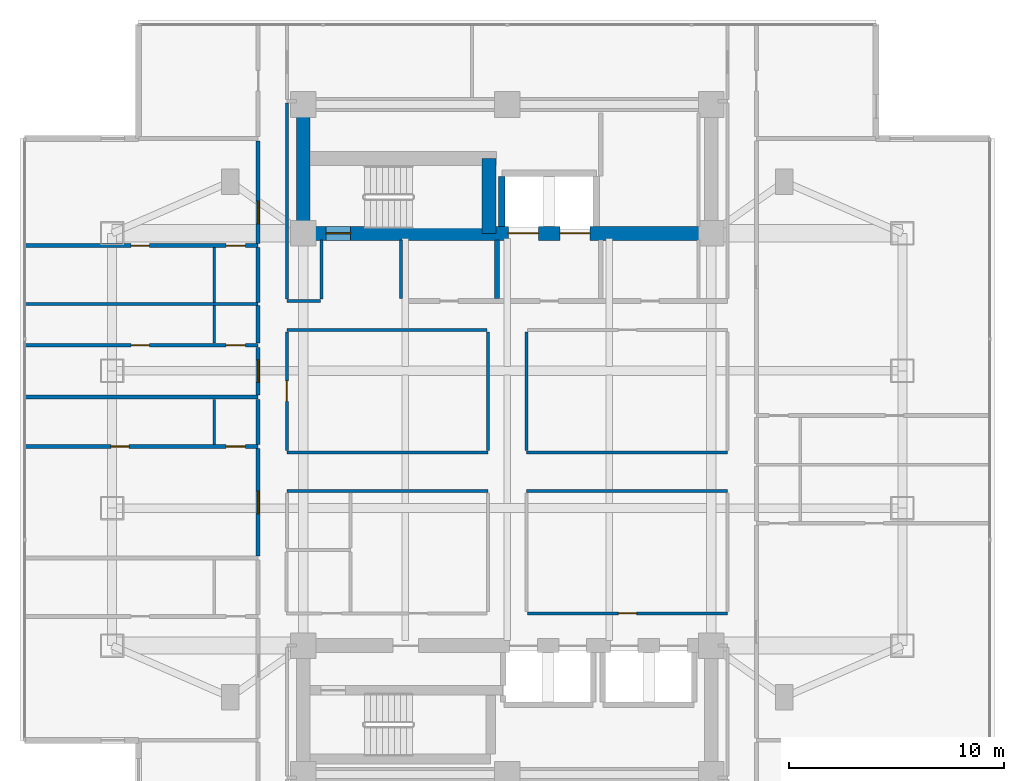
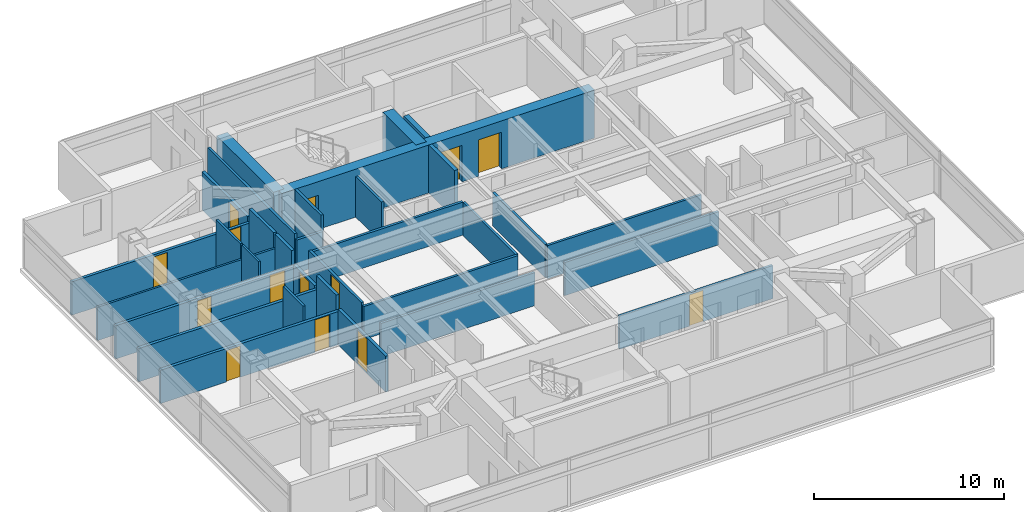
# One storey, part 15 of 26: 32 walls, 14 doors, 14 openings.
"""IFC4 building model written with IfcOpenShell, lengths in metres."""

from ifc_helpers import new_model, si_unit, direction, frame, frame_2d, origin, place, context, subcontext, project, spatial, rectangle, extrude, material, layer, layer_set, type_object, element, fill, save


model = new_model("IFC4")

# Units and contexts
model_context = context("Model", 3, precision=1e-05, world=origin(), true_north=direction((0.0, 1.0)))
body_context = subcontext(model_context, "Body", "Model", "MODEL_VIEW")
ifc_project = project(units=[si_unit("LENGTHUNIT", "METRE"), si_unit("AREAUNIT", "SQUARE_METRE"), si_unit("VOLUMEUNIT", "CUBIC_METRE"), si_unit("PLANEANGLEUNIT", "RADIAN"), si_unit("MASSUNIT", "GRAM", prefix="KILO")], contexts=[model_context])

# Site, building, storey
site_placement = place(None, origin())
site = spatial("IfcSite", under=ifc_project, at=site_placement, CompositionType="ELEMENT")
building_placement = place(site_placement, origin())
building = spatial("IfcBuilding", under=site, at=building_placement, Name="Mirazonda Arch Towers", CompositionType="ELEMENT")
storey_placement = place(building_placement, frame((0.0, 0.0, 114.800048828125)))
storey = spatial("IfcBuildingStorey", under=building, at=storey_placement, Name="L32", CompositionType="ELEMENT", Elevation=114.800048828125)

# Wall
ifc_material_1 = material(Name="Concrete C60/75", Category="concrete")
ifc_layer_1 = layer(ifc_material_1, 0.64990234375, Name="WALL-CORE-650")
ifc_layer_set_1 = layer_set([ifc_layer_1], Name="Concrete C60/75")
wall_type_1 = type_object("IfcWallType", Name="WALL-CORE-650", PredefinedType="SHEAR", material=ifc_layer_set_1)
wall_1_placement = place(storey_placement, frame((11.0, 37.60009765625, 0.0), z_axis=(0.0, 0.0, 1.0), x_axis=(0.0, 1.0, 0.0)))
element("IfcWall", 1, at=wall_1_placement, inside=storey, type_object=wall_type_1, Name="L32 T1N-W Core Shear Wall", PredefinedType="SHEAR", context=body_context, shape_type="SweptSolid", body=[
    extrude(rectangle(XDim=6.0, YDim=0.64990234375, at=frame_2d((3.0, 0.0))), origin(), (0.0, 0.0, 1.0), 3.079833984375),
])

# Wall, openings, doors
wall_2_placement = place(storey_placement, frame((11.0, 37.60009765625, 0.0), z_axis=(0.0, 0.0, 1.0), x_axis=(1.0, 0.0, 0.0)))
wall_2 = element("IfcWall", 2, at=wall_2_placement, inside=storey, type_object=wall_type_1, Name="L32 T1N-S Core Shear Wall", PredefinedType="SHEAR", context=body_context, shape_type="SweptSolid", body=[
    extrude(rectangle(XDim=19.0, YDim=0.64990234375, at=frame_2d((9.5, 0.0))), origin(), (0.0, 0.0, 1.0), 3.079833984375),
])
opening_1_placement = place(wall_2_placement, frame((1.06005859375, 0.0, 0.0)))
opening_1 = element("IfcOpeningElement", 3, at=opening_1_placement, cuts=wall_2, Name="Opening DR-135", PredefinedType="OPENING", context=body_context, shape_type="SweptSolid", body=[
    extrude(rectangle(XDim=1.14990234375, YDim=2.199951171875, at=frame_2d((0.574951171875, 1.10009765625))), frame((0.0, 0.3349609375, 0.0), z_axis=(0.0, -1.0, 0.0), x_axis=(1.0, 0.0, 0.0)), (0.0, 0.0, 1.0), 0.669921875),
])
opening_2_placement = place(wall_2_placement, frame((9.550048828125, 0.0, 0.0)))
opening_2 = element("IfcOpeningElement", 4, at=opening_2_placement, cuts=wall_2, Name="Opening LD-112", PredefinedType="OPENING", context=body_context, shape_type="SweptSolid", body=[
    extrude(rectangle(XDim=1.39990234375, YDim=2.35009765625, at=frame_2d((0.699951171875, 1.175048828125))), frame((0.0, 0.3349609375, 0.0), z_axis=(0.0, -1.0, 0.0), x_axis=(1.0, 0.0, 0.0)), (0.0, 0.0, 1.0), 0.669921875),
])
opening_3_placement = place(wall_2_placement, frame((11.949951171875, 0.0, 0.0)))
opening_3 = element("IfcOpeningElement", 5, at=opening_3_placement, cuts=wall_2, Name="Opening LD-112", PredefinedType="OPENING", context=body_context, shape_type="SweptSolid", body=[
    extrude(rectangle(XDim=1.39990234375, YDim=2.35009765625, at=frame_2d((0.699951171875, 1.175048828125))), frame((0.0, 0.3349609375, 0.0), z_axis=(0.0, -1.0, 0.0), x_axis=(1.0, 0.0, 0.0)), (0.0, 0.0, 1.0), 0.669921875),
])
ifc_material_2 = material(Name="Architectural Brushed Steel S355", Category="steel")
door_type_1 = type_object("IfcDoorType", Name="DOOR-LIFT-FFL-1400", OperationType="NOTDEFINED", PredefinedType="DOOR", material=ifc_material_2)
door_1_placement = place(opening_2_placement, origin())
door_1 = element("IfcDoor", 6, at=door_1_placement, inside=storey, type_object=door_type_1, Name="L32 Lift Landing Sliding Door FFL-T1", OperationType="DOUBLE_DOOR_SLIDING", OverallHeight=2.35009765625, OverallWidth=1.39990234375, PredefinedType="DOOR", context=body_context, shape_type="SweptSolid", body=[
    extrude(rectangle(XDim=1.39990234375, YDim=2.35009765625, at=frame_2d((0.699951171875, 1.175048828125))), frame((0.0, 0.02490234375, 0.0), z_axis=(0.0, -1.0, 0.0), x_axis=(1.0, 0.0, 0.0)), (0.0, 0.0, 1.0), 0.050048828125),
])
fill(opening_2, door_1)
door_2_placement = place(opening_3_placement, origin())
door_2 = element("IfcDoor", 7, at=door_2_placement, inside=storey, type_object=door_type_1, Name="L32 Lift Landing Sliding Door SVL-T1", OperationType="DOUBLE_DOOR_SLIDING", OverallHeight=2.35009765625, OverallWidth=1.39990234375, PredefinedType="DOOR", context=body_context, shape_type="SweptSolid", body=[
    extrude(rectangle(XDim=1.39990234375, YDim=2.35009765625, at=frame_2d((0.699951171875, 1.175048828125))), frame((0.0, 0.02490234375, 0.0), z_axis=(0.0, -1.0, 0.0), x_axis=(1.0, 0.0, 0.0)), (0.0, 0.0, 1.0), 0.050048828125),
])
fill(opening_3, door_2)
door_type_2 = type_object("IfcDoorType", Name="DOOR-STAIR-FD90-1150", OperationType="NOTDEFINED", PredefinedType="DOOR", material=ifc_material_2)
door_3_placement = place(opening_1_placement, origin())
door_3 = element("IfcDoor", 8, at=door_3_placement, inside=storey, type_object=door_type_2, Name="L32 Protected Exit Stair North Door", OperationType="SINGLE_SWING_LEFT", OverallHeight=2.199951171875, OverallWidth=1.14990234375, PredefinedType="DOOR", context=body_context, shape_type="SweptSolid", body=[
    extrude(rectangle(XDim=1.14990234375, YDim=2.199951171875, at=frame_2d((0.574951171875, 1.10009765625))), frame((0.0, 0.02490234375, 0.0), z_axis=(0.0, -1.0, 0.0), x_axis=(1.0, 0.0, 0.0)), (0.0, 0.0, 1.0), 0.050048828125),
])
fill(opening_1, door_3)

# Walls
wall_3_placement = place(storey_placement, frame((19.64990234375, 37.60009765625, 0.0), z_axis=(0.0, 0.0, 1.0), x_axis=(0.0, 1.0, 0.0)))
element("IfcWall", 9, at=wall_3_placement, inside=storey, type_object=wall_type_1, Name="L32 T1N-STE Core Shear Wall", PredefinedType="SHEAR", context=body_context, shape_type="SweptSolid", body=[
    extrude(rectangle(XDim=3.492919921875, YDim=0.64990234375, at=frame_2d((1.74658203125, 0.0))), origin(), (0.0, 0.0, 1.0), 3.079833984375),
])
ifc_material_3 = material(Name="Concrete C40/50", Category="concrete")
ifc_layer_2 = layer(ifc_material_3, 0.219970703125, Name="WALL-FFL-220")
ifc_layer_set_2 = layer_set([ifc_layer_2], Name="Concrete C40/50")
wall_type_2 = type_object("IfcWallType", Name="WALL-FFL-220", PredefinedType="SOLIDWALL", material=ifc_layer_set_2)
wall_4_placement = place(storey_placement, frame((20.02490234375, 34.570068359375, 0.0), z_axis=(0.0, 0.0, 1.0), x_axis=(0.0, 1.0, 0.0)))
element("IfcWall", 10, at=wall_4_placement, inside=storey, type_object=wall_type_2, Name="L32 Interior Partition 094", PredefinedType="SOLIDWALL", context=body_context, shape_type="SweptSolid", body=[
    extrude(rectangle(XDim=2.7099609375, YDim=0.219970703125, at=frame_2d((1.35498046875, 0.0))), origin(), (0.0, 0.0, 1.0), 3.079833984375),
])

# Wall, opening, door
ifc_material_4 = material(Name="Fire-Rated Gypsum Stud Partition")
ifc_layer_3 = layer(ifc_material_4, 0.14990234375, Name="WALL-PART-CORR-150")
ifc_layer_set_3 = layer_set([ifc_layer_3], Name="Fire-Rated Gypsum Stud Partition")
wall_type_3 = type_object("IfcWallType", Name="WALL-PART-CORR-150", PredefinedType="PARTITIONING", material=ifc_layer_set_3)
wall_5_placement = place(storey_placement, frame((21.43994140625, 19.89990234375, 0.0), z_axis=(0.0, 0.0, 1.0), x_axis=(1.0, 0.0, 0.0)))
wall_5 = element("IfcWall", 11, at=wall_5_placement, inside=storey, type_object=wall_type_3, Name="L32 Interior Partition 017", PredefinedType="PARTITIONING", context=body_context, shape_type="SweptSolid", body=[
    extrude(rectangle(XDim=9.320068359375, YDim=0.14990234375, at=frame_2d((4.66015625, 0.0))), origin(), (0.0, 0.0, 1.0), 2.1240234375),
])
opening_4_placement = place(wall_5_placement, frame((4.235107421875, 0.0, 0.0)))
opening_4 = element("IfcOpeningElement", 12, at=opening_4_placement, cuts=wall_5, Name="Opening DR-128", PredefinedType="OPENING", context=body_context, shape_type="SweptSolid", body=[
    extrude(rectangle(XDim=0.85009765625, YDim=2.010009765625, at=frame_2d((0.425048828125, 1.0048828125))), frame((0.0, 0.0849609375, 0.0), z_axis=(0.0, -1.0, 0.0), x_axis=(1.0, 0.0, 0.0)), (0.0, 0.0, 1.0), 0.169921875),
])
door_type_3 = type_object("IfcDoorType", Name="DOOR-RISER-FD60-850", OperationType="NOTDEFINED", PredefinedType="DOOR", material=ifc_material_2)
door_4_placement = place(opening_4_placement, origin())
door_4 = element("IfcDoor", 13, at=door_4_placement, inside=storey, type_object=door_type_3, Name="L32 L32 South-East Cruciform Lounge Door", OperationType="SINGLE_SWING_RIGHT", OverallHeight=2.010009765625, OverallWidth=0.85009765625, PredefinedType="DOOR", context=body_context, shape_type="SweptSolid", body=[
    extrude(rectangle(XDim=0.85009765625, YDim=2.010009765625, at=frame_2d((0.425048828125, 1.0048828125))), frame((0.0, 0.02490234375, 0.0), z_axis=(0.0, -1.0, 0.0), x_axis=(1.0, 0.0, 0.0)), (0.0, 0.0, 1.0), 0.050048828125),
])
fill(opening_4, door_4)

# Walls
for number, where, z_axis, x_axis, name in (
    (14, (10.239990234375, 25.60009765625, 0.0), (0.0, 0.0, 1.0), (1.0, 0.0, 0.0), "L32 Interior Partition 029"),
    (15, (21.39990234375, 25.60009765625, 0.0), (0.0, 0.0, 1.0), (1.0, 0.0, 0.0), "L32 Interior Partition 030"),
    (16, (10.239990234375, 27.39990234375, 0.0), (0.0, 0.0, 1.0), (1.0, 0.0, 0.0), "L32 Interior Partition 035"),
    (17, (21.39990234375, 27.39990234375, 0.0), (0.0, 0.0, 1.0), (1.0, 0.0, 0.0), "L32 Interior Partition 036"),
):
    element("IfcWall", number, at=place(storey_placement, frame(where, z_axis=z_axis, x_axis=x_axis)), inside=storey, type_object=wall_type_3, Name=name, PredefinedType="PARTITIONING", context=body_context, shape_type="SweptSolid", body=[
        extrude(rectangle(XDim=9.360107421875, YDim=0.14990234375, at=frame_2d((4.68017578125, 0.0))), origin(), (0.0, 0.0, 1.0), 2.1240234375),
    ])
wall_6_placement = place(storey_placement, frame((10.239990234375, 33.10009765625, 0.0), z_axis=(0.0, 0.0, 1.0), x_axis=(1.0, 0.0, 0.0)))
element("IfcWall", 18, at=wall_6_placement, inside=storey, type_object=wall_type_3, Name="L32 Interior Partition 048", PredefinedType="PARTITIONING", context=body_context, shape_type="SweptSolid", body=[
    extrude(rectangle(XDim=9.320068359375, YDim=0.14990234375, at=frame_2d((4.66015625, 0.0))), origin(), (0.0, 0.0, 1.0), 2.1240234375),
])
wall_7_placement = place(storey_placement, frame((10.239990234375, 34.449951171875, 0.0), z_axis=(0.0, 0.0, 1.0), x_axis=(1.0, 0.0, 0.0)))
element("IfcWall", 19, at=wall_7_placement, inside=storey, type_object=wall_type_3, Name="L32 Interior Partition 051", PredefinedType="PARTITIONING", context=body_context, shape_type="SweptSolid", body=[
    extrude(rectangle(XDim=1.56005859375, YDim=0.14990234375, at=frame_2d((0.780029296875, 0.0))), origin(), (0.0, 0.0, 1.0), 2.1240234375),
])

# Wall, opening, door
wall_8_placement = place(storey_placement, frame((10.239990234375, 27.485107421875, 0.0), z_axis=(0.0, 0.0, 1.0), x_axis=(0.0, 1.0, 0.0)))
wall_8 = element("IfcWall", 20, at=wall_8_placement, inside=storey, type_object=wall_type_3, Name="L32 Interior Partition 083", PredefinedType="PARTITIONING", context=body_context, shape_type="SweptSolid", body=[
    extrude(rectangle(XDim=5.52978515625, YDim=0.14990234375, at=frame_2d((2.764892578125, 0.0))), origin(), (0.0, 0.0, 1.0), 2.299072265625),
])
opening_5_placement = place(wall_8_placement, frame((2.2900390625, 0.0, 0.0)))
opening_5 = element("IfcOpeningElement", 21, at=opening_5_placement, cuts=wall_8, Name="Opening DR-104", PredefinedType="OPENING", context=body_context, shape_type="SweptSolid", body=[
    extrude(rectangle(XDim=0.949951171875, YDim=2.14990234375, at=frame_2d((0.47509765625, 1.074951171875))), frame((0.0, 0.0849609375, 0.0), z_axis=(0.0, -1.0, 0.0), x_axis=(1.0, 0.0, 0.0)), (0.0, 0.0, 1.0), 0.169921875),
])
door_type_4 = type_object("IfcDoorType", Name="DOOR-ROOM-950", OperationType="NOTDEFINED", PredefinedType="DOOR", material=ifc_material_2)
door_5_placement = place(opening_5_placement, origin())
door_5 = element("IfcDoor", 22, at=door_5_placement, inside=storey, type_object=door_type_4, Name="L32 L32 West Courtyard Reading Salon Door", OperationType="SINGLE_SWING_LEFT", OverallHeight=2.14990234375, OverallWidth=0.949951171875, PredefinedType="DOOR", context=body_context, shape_type="SweptSolid", body=[
    extrude(rectangle(XDim=0.949951171875, YDim=2.14990234375, at=frame_2d((0.47509765625, 1.074951171875))), frame((0.0, 0.02490234375, 0.0), z_axis=(0.0, -1.0, 0.0), x_axis=(1.0, 0.0, 0.0)), (0.0, 0.0, 1.0), 0.050048828125),
])
fill(opening_5, door_5)

# Walls
wall_9_placement = place(storey_placement, frame((10.239990234375, 34.534912109375, 0.0), z_axis=(0.0, 0.0, 1.0), x_axis=(0.0, 1.0, 0.0)))
element("IfcWall", 23, at=wall_9_placement, inside=storey, type_object=wall_type_3, Name="L32 Interior Partition 084", PredefinedType="PARTITIONING", context=body_context, shape_type="SweptSolid", body=[
    extrude(rectangle(XDim=9.130126953125, YDim=0.14990234375, at=frame_2d((4.56494140625, 0.0))), origin(), (0.0, 0.0, 1.0), 2.4560546875),
])
wall_10_placement = place(storey_placement, frame((11.85009765625, 34.534912109375, 0.0), z_axis=(0.0, 0.0, 1.0), x_axis=(0.0, 1.0, 0.0)))
element("IfcWall", 24, at=wall_10_placement, inside=storey, type_object=wall_type_3, Name="L32 Interior Partition 086", PredefinedType="PARTITIONING", context=body_context, shape_type="SweptSolid", body=[
    extrude(rectangle(XDim=2.7451171875, YDim=0.14990234375, at=frame_2d((1.37255859375, 0.0))), origin(), (0.0, 0.0, 1.0), 3.079833984375),
])
wall_11_placement = place(storey_placement, frame((15.550048828125, 34.570068359375, 0.0), z_axis=(0.0, 0.0, 1.0), x_axis=(0.0, 1.0, 0.0)))
element("IfcWall", 25, at=wall_11_placement, inside=storey, type_object=wall_type_3, Name="L32 Interior Partition 089", PredefinedType="PARTITIONING", context=body_context, shape_type="SweptSolid", body=[
    extrude(rectangle(XDim=2.7099609375, YDim=0.14990234375, at=frame_2d((1.35498046875, 0.0))), origin(), (0.0, 0.0, 1.0), 2.60888671875),
])
for number, where, z_axis, x_axis, name in (
    (26, (19.60009765625, 27.485107421875, 0.0), (0.0, 0.0, 1.0), (0.0, 1.0, 0.0), "L32 Interior Partition 092"),
    (27, (21.39990234375, 27.485107421875, 0.0), (0.0, 0.0, 1.0), (0.0, 1.0, 0.0), "L32 Interior Partition 099"),
):
    element("IfcWall", number, at=place(storey_placement, frame(where, z_axis=z_axis, x_axis=x_axis)), inside=storey, type_object=wall_type_3, Name=name, PredefinedType="PARTITIONING", context=body_context, shape_type="SweptSolid", body=[
        extrude(rectangle(XDim=5.52978515625, YDim=0.14990234375, at=frame_2d((2.764892578125, 0.0))), origin(), (0.0, 0.0, 1.0), 2.1240234375),
    ])

# Wall, openings, doors
ifc_material_5 = material(Name="Fire-Rated Gypsum Twin-Stud Assembly")
ifc_layer_4 = layer(ifc_material_5, 0.179931640625, Name="WALL-PART-DEMISE-180")
ifc_layer_set_4 = layer_set([ifc_layer_4], Name="Fire-Rated Gypsum Twin-Stud Assembly")
wall_type_4 = type_object("IfcWallType", Name="WALL-PART-DEMISE-180", PredefinedType="PARTITIONING", material=ifc_layer_set_4)
wall_12_placement = place(storey_placement, frame((-1.969970703125, 27.672119140625, 0.0), z_axis=(0.0, 0.0, 1.0), x_axis=(1.0, 0.0, 0.0)))
wall_12 = element("IfcWall", 28, at=wall_12_placement, inside=storey, type_object=wall_type_4, Name="L32 Interior Partition 038", PredefinedType="PARTITIONING", context=body_context, shape_type="SweptSolid", body=[
    extrude(rectangle(XDim=10.869873046875, YDim=0.179931640625, at=frame_2d((5.43505859375, 0.0))), origin(), (0.0, 0.0, 1.0), 2.14501953125),
])
opening_6_placement = place(wall_12_placement, frame((4.010009765625, 0.0, 0.0)))
opening_6 = element("IfcOpeningElement", 29, at=opening_6_placement, cuts=wall_12, Name="Opening DR-128", PredefinedType="OPENING", context=body_context, shape_type="SweptSolid", body=[
    extrude(rectangle(XDim=0.85009765625, YDim=2.010009765625, at=frame_2d((0.425048828125, 1.0048828125))), frame((0.0, 0.099853515625, 0.0), z_axis=(0.0, -1.0, 0.0), x_axis=(1.0, 0.0, 0.0)), (0.0, 0.0, 1.0), 0.199951171875),
])
opening_7_placement = place(wall_12_placement, frame((9.3798828125, 0.0, 0.0)))
opening_7 = element("IfcOpeningElement", 30, at=opening_7_placement, cuts=wall_12, Name="Opening DR-120", PredefinedType="OPENING", context=body_context, shape_type="SweptSolid", body=[
    extrude(rectangle(XDim=0.89990234375, YDim=2.10009765625, at=frame_2d((0.449951171875, 1.050048828125))), frame((0.0, 0.099853515625, 0.0), z_axis=(0.0, -1.0, 0.0), x_axis=(1.0, 0.0, 0.0)), (0.0, 0.0, 1.0), 0.199951171875),
])
door_6_placement = place(opening_6_placement, origin())
door_6 = element("IfcDoor", 31, at=door_6_placement, inside=storey, type_object=door_type_3, Name="L32 Suite Bedroom 2 Door", OperationType="SINGLE_SWING_RIGHT", OverallHeight=2.010009765625, OverallWidth=0.85009765625, PredefinedType="DOOR", context=body_context, shape_type="SweptSolid", body=[
    extrude(rectangle(XDim=0.85009765625, YDim=2.010009765625, at=frame_2d((0.425048828125, 1.0048828125))), frame((0.0, 0.02490234375, 0.0), z_axis=(0.0, -1.0, 0.0), x_axis=(1.0, 0.0, 0.0)), (0.0, 0.0, 1.0), 0.050048828125),
])
fill(opening_6, door_6)
door_type_5 = type_object("IfcDoorType", Name="DOOR-WC-900", OperationType="NOTDEFINED", PredefinedType="DOOR", material=ifc_material_2)
door_7_placement = place(opening_7_placement, origin())
door_7 = element("IfcDoor", 32, at=door_7_placement, inside=storey, type_object=door_type_5, Name="L32 Suite En-Suite Bathroom 2 Door", OperationType="SINGLE_SWING_LEFT", OverallHeight=2.10009765625, OverallWidth=0.89990234375, PredefinedType="DOOR", context=body_context, shape_type="SweptSolid", body=[
    extrude(rectangle(XDim=0.89990234375, YDim=2.10009765625, at=frame_2d((0.449951171875, 1.050048828125))), frame((0.0, 0.02490234375, 0.0), z_axis=(0.0, -1.0, 0.0), x_axis=(1.0, 0.0, 0.0)), (0.0, 0.0, 1.0), 0.050048828125),
])
fill(opening_7, door_7)

# Wall
wall_13_placement = place(storey_placement, frame((-1.969970703125, 29.971923828125, 0.0), z_axis=(0.0, 0.0, 1.0), x_axis=(1.0, 0.0, 0.0)))
element("IfcWall", 33, at=wall_13_placement, inside=storey, type_object=wall_type_4, Name="L32 Interior Partition 042", PredefinedType="PARTITIONING", context=body_context, shape_type="SweptSolid", body=[
    extrude(rectangle(XDim=10.869873046875, YDim=0.179931640625, at=frame_2d((5.43505859375, 0.0))), origin(), (0.0, 0.0, 1.0), 2.14501953125),
])

# Wall, openings, doors
wall_14_placement = place(storey_placement, frame((-1.969970703125, 32.389892578125, 0.0), z_axis=(0.0, 0.0, 1.0), x_axis=(1.0, 0.0, 0.0)))
wall_14 = element("IfcWall", 34, at=wall_14_placement, inside=storey, type_object=wall_type_4, Name="L32 Interior Partition 047", PredefinedType="PARTITIONING", context=body_context, shape_type="SweptSolid", body=[
    extrude(rectangle(XDim=10.869873046875, YDim=0.179931640625, at=frame_2d((5.43505859375, 0.0))), origin(), (0.0, 0.0, 1.0), 2.14501953125),
])
opening_8_placement = place(wall_14_placement, frame((4.9599609375, 0.0, 0.0)))
opening_8 = element("IfcOpeningElement", 35, at=opening_8_placement, cuts=wall_14, Name="Opening DR-128", PredefinedType="OPENING", context=body_context, shape_type="SweptSolid", body=[
    extrude(rectangle(XDim=0.85009765625, YDim=2.010009765625, at=frame_2d((0.425048828125, 1.0048828125))), frame((0.0, 0.099853515625, 0.0), z_axis=(0.0, -1.0, 0.0), x_axis=(1.0, 0.0, 0.0)), (0.0, 0.0, 1.0), 0.199951171875),
])
opening_9_placement = place(wall_14_placement, frame((9.3798828125, 0.0, 0.0)))
opening_9 = element("IfcOpeningElement", 36, at=opening_9_placement, cuts=wall_14, Name="Opening DR-120", PredefinedType="OPENING", context=body_context, shape_type="SweptSolid", body=[
    extrude(rectangle(XDim=0.89990234375, YDim=2.10009765625, at=frame_2d((0.449951171875, 1.050048828125))), frame((0.0, 0.099853515625, 0.0), z_axis=(0.0, -1.0, 0.0), x_axis=(1.0, 0.0, 0.0)), (0.0, 0.0, 1.0), 0.199951171875),
])
door_8_placement = place(opening_8_placement, origin())
door_8 = element("IfcDoor", 37, at=door_8_placement, inside=storey, type_object=door_type_3, Name="L32 Guestroom Study 3 Door", OperationType="SINGLE_SWING_LEFT", OverallHeight=2.010009765625, OverallWidth=0.85009765625, PredefinedType="DOOR", context=body_context, shape_type="SweptSolid", body=[
    extrude(rectangle(XDim=0.85009765625, YDim=2.010009765625, at=frame_2d((0.425048828125, 1.0048828125))), frame((0.0, 0.02490234375, 0.0), z_axis=(0.0, -1.0, 0.0), x_axis=(1.0, 0.0, 0.0)), (0.0, 0.0, 1.0), 0.050048828125),
])
fill(opening_8, door_8)
door_9_placement = place(opening_9_placement, origin())
door_9 = element("IfcDoor", 38, at=door_9_placement, inside=storey, type_object=door_type_5, Name="L32 En-Suite Bathroom 3 Door", OperationType="SINGLE_SWING_RIGHT", OverallHeight=2.10009765625, OverallWidth=0.89990234375, PredefinedType="DOOR", context=body_context, shape_type="SweptSolid", body=[
    extrude(rectangle(XDim=0.89990234375, YDim=2.10009765625, at=frame_2d((0.449951171875, 1.050048828125))), frame((0.0, 0.02490234375, 0.0), z_axis=(0.0, -1.0, 0.0), x_axis=(1.0, 0.0, 0.0)), (0.0, 0.0, 1.0), 0.050048828125),
])
fill(opening_9, door_9)

wall_15_placement = place(storey_placement, frame((-1.969970703125, 37.030029296875, 0.0), z_axis=(0.0, 0.0, 1.0), x_axis=(1.0, 0.0, 0.0)))
wall_15 = element("IfcWall", 39, at=wall_15_placement, inside=storey, type_object=wall_type_4, Name="L32 Interior Partition 055", PredefinedType="PARTITIONING", context=body_context, shape_type="SweptSolid", body=[
    extrude(rectangle(XDim=10.869873046875, YDim=0.179931640625, at=frame_2d((5.43505859375, 0.0))), origin(), (0.0, 0.0, 1.0), 2.14501953125),
])
opening_10_placement = place(wall_15_placement, frame((4.9599609375, 0.0, 0.0)))
opening_10 = element("IfcOpeningElement", 40, at=opening_10_placement, cuts=wall_15, Name="Opening DR-128", PredefinedType="OPENING", context=body_context, shape_type="SweptSolid", body=[
    extrude(rectangle(XDim=0.85009765625, YDim=2.010009765625, at=frame_2d((0.425048828125, 1.0048828125))), frame((0.0, 0.099853515625, 0.0), z_axis=(0.0, -1.0, 0.0), x_axis=(1.0, 0.0, 0.0)), (0.0, 0.0, 1.0), 0.199951171875),
])
opening_11_placement = place(wall_15_placement, frame((9.3798828125, 0.0, 0.0)))
opening_11 = element("IfcOpeningElement", 41, at=opening_11_placement, cuts=wall_15, Name="Opening DR-120", PredefinedType="OPENING", context=body_context, shape_type="SweptSolid", body=[
    extrude(rectangle(XDim=0.89990234375, YDim=2.10009765625, at=frame_2d((0.449951171875, 1.050048828125))), frame((0.0, 0.099853515625, 0.0), z_axis=(0.0, -1.0, 0.0), x_axis=(1.0, 0.0, 0.0)), (0.0, 0.0, 1.0), 0.199951171875),
])
door_10_placement = place(opening_10_placement, origin())
door_10 = element("IfcDoor", 42, at=door_10_placement, inside=storey, type_object=door_type_3, Name="L32 Suite Bedroom 4 Door", OperationType="SINGLE_SWING_RIGHT", OverallHeight=2.010009765625, OverallWidth=0.85009765625, PredefinedType="DOOR", context=body_context, shape_type="SweptSolid", body=[
    extrude(rectangle(XDim=0.85009765625, YDim=2.010009765625, at=frame_2d((0.425048828125, 1.0048828125))), frame((0.0, 0.02490234375, 0.0), z_axis=(0.0, -1.0, 0.0), x_axis=(1.0, 0.0, 0.0)), (0.0, 0.0, 1.0), 0.050048828125),
])
fill(opening_10, door_10)
door_11_placement = place(opening_11_placement, origin())
door_11 = element("IfcDoor", 43, at=door_11_placement, inside=storey, type_object=door_type_5, Name="L32 Suite En-Suite Bathroom 4 Door", OperationType="SINGLE_SWING_LEFT", OverallHeight=2.10009765625, OverallWidth=0.89990234375, PredefinedType="DOOR", context=body_context, shape_type="SweptSolid", body=[
    extrude(rectangle(XDim=0.89990234375, YDim=2.10009765625, at=frame_2d((0.449951171875, 1.050048828125))), frame((0.0, 0.02490234375, 0.0), z_axis=(0.0, -1.0, 0.0), x_axis=(1.0, 0.0, 0.0)), (0.0, 0.0, 1.0), 0.050048828125),
])
fill(opening_11, door_11)

# Wall, opening, door
wall_16_placement = place(storey_placement, frame((8.89990234375, 22.5791015625, 0.0), z_axis=(0.0, 0.0, 1.0), x_axis=(0.0, 1.0, 0.0)))
wall_16 = element("IfcWall", 44, at=wall_16_placement, inside=storey, type_object=wall_type_4, Name="L32 Interior Partition 072", PredefinedType="PARTITIONING", context=body_context, shape_type="SweptSolid", body=[
    extrude(rectangle(XDim=4.992919921875, YDim=0.179931640625, at=frame_2d((2.49658203125, 0.0))), origin(), (0.0, 0.0, 1.0), 2.299072265625),
])
opening_12_placement = place(wall_16_placement, frame((1.971435546875, 0.0, 0.0)))
opening_12 = element("IfcOpeningElement", 45, at=opening_12_placement, cuts=wall_16, Name="Opening DR-121", PredefinedType="OPENING", context=body_context, shape_type="SweptSolid", body=[
    extrude(rectangle(XDim=1.050048828125, YDim=2.199951171875, at=frame_2d((0.52490234375, 1.10009765625))), frame((0.0, 0.099853515625, 0.0), z_axis=(0.0, -1.0, 0.0), x_axis=(1.0, 0.0, 0.0)), (0.0, 0.0, 1.0), 0.199951171875),
])
door_type_6 = type_object("IfcDoorType", Name="DOOR-SUITE-FD60-1050", OperationType="NOTDEFINED", PredefinedType="DOOR", material=ifc_material_2)
door_12_placement = place(opening_12_placement, origin())
door_12 = element("IfcDoor", 46, at=door_12_placement, inside=storey, type_object=door_type_6, Name="L32 Deluxe Suite Living Room 2 Door", OperationType="SINGLE_SWING_LEFT", OverallHeight=2.199951171875, OverallWidth=1.050048828125, PredefinedType="DOOR", context=body_context, shape_type="SweptSolid", body=[
    extrude(rectangle(XDim=1.050048828125, YDim=2.199951171875, at=frame_2d((0.52490234375, 1.10009765625))), frame((0.0, 0.02490234375, 0.0), z_axis=(0.0, -1.0, 0.0), x_axis=(1.0, 0.0, 0.0)), (0.0, 0.0, 1.0), 0.050048828125),
])
fill(opening_12, door_12)

# Wall
wall_17_placement = place(storey_placement, frame((8.89990234375, 27.77197265625, 0.0), z_axis=(0.0, 0.0, 1.0), x_axis=(0.0, 1.0, 0.0)))
element("IfcWall", 47, at=wall_17_placement, inside=storey, type_object=wall_type_4, Name="L32 Interior Partition 073", PredefinedType="PARTITIONING", context=body_context, shape_type="SweptSolid", body=[
    extrude(rectangle(XDim=2.10009765625, YDim=0.179931640625, at=frame_2d((1.050048828125, 0.0))), origin(), (0.0, 0.0, 1.0), 3.079833984375),
])

# Wall, opening, door
wall_18_placement = place(storey_placement, frame((8.89990234375, 30.072021484375, 0.0), z_axis=(0.0, 0.0, 1.0), x_axis=(0.0, 1.0, 0.0)))
wall_18 = element("IfcWall", 48, at=wall_18_placement, inside=storey, type_object=wall_type_4, Name="L32 Interior Partition 074", PredefinedType="PARTITIONING", context=body_context, shape_type="SweptSolid", body=[
    extrude(rectangle(XDim=2.218017578125, YDim=0.179931640625, at=frame_2d((1.10888671875, 0.0))), origin(), (0.0, 0.0, 1.0), 2.299072265625),
])
opening_13_placement = place(wall_18_placement, frame((0.583984375, 0.0, 0.0)))
opening_13 = element("IfcOpeningElement", 49, at=opening_13_placement, cuts=wall_18, Name="Opening DR-121", PredefinedType="OPENING", context=body_context, shape_type="SweptSolid", body=[
    extrude(rectangle(XDim=1.050048828125, YDim=2.199951171875, at=frame_2d((0.52490234375, 1.10009765625))), frame((0.0, 0.099853515625, 0.0), z_axis=(0.0, -1.0, 0.0), x_axis=(1.0, 0.0, 0.0)), (0.0, 0.0, 1.0), 0.199951171875),
])
door_13_placement = place(opening_13_placement, origin())
door_13 = element("IfcDoor", 50, at=door_13_placement, inside=storey, type_object=door_type_6, Name="L32 King Hotel Guestroom 3 Door", OperationType="SINGLE_SWING_RIGHT", OverallHeight=2.199951171875, OverallWidth=1.050048828125, PredefinedType="DOOR", context=body_context, shape_type="SweptSolid", body=[
    extrude(rectangle(XDim=1.050048828125, YDim=2.199951171875, at=frame_2d((0.52490234375, 1.10009765625))), frame((0.0, 0.02490234375, 0.0), z_axis=(0.0, -1.0, 0.0), x_axis=(1.0, 0.0, 0.0)), (0.0, 0.0, 1.0), 0.050048828125),
])
fill(opening_13, door_13)

# Walls
wall_19_placement = place(storey_placement, frame((8.89990234375, 32.489990234375, 0.0), z_axis=(0.0, 0.0, 1.0), x_axis=(0.0, 1.0, 0.0)))
element("IfcWall", 51, at=wall_19_placement, inside=storey, type_object=wall_type_4, Name="L32 Interior Partition 075", PredefinedType="PARTITIONING", context=body_context, shape_type="SweptSolid", body=[
    extrude(rectangle(XDim=1.74755859375, YDim=0.179931640625, at=frame_2d((0.873779296875, 0.0))), origin(), (0.0, 0.0, 1.0), 3.079833984375),
])
wall_20_placement = place(storey_placement, frame((8.89990234375, 34.382568359375, 0.0), z_axis=(0.0, 0.0, 1.0), x_axis=(0.0, 1.0, 0.0)))
element("IfcWall", 52, at=wall_20_placement, inside=storey, type_object=wall_type_4, Name="L32 Interior Partition 076", PredefinedType="PARTITIONING", context=body_context, shape_type="SweptSolid", body=[
    extrude(rectangle(XDim=2.54736328125, YDim=0.179931640625, at=frame_2d((1.273681640625, 0.0))), origin(), (0.0, 0.0, 1.0), 3.079833984375),
])

# Wall, opening, door
wall_21_placement = place(storey_placement, frame((8.89990234375, 37.1298828125, 0.0), z_axis=(0.0, 0.0, 1.0), x_axis=(0.0, 1.0, 0.0)))
wall_21 = element("IfcWall", 53, at=wall_21_placement, inside=storey, type_object=wall_type_4, Name="L32 Interior Partition 077", PredefinedType="PARTITIONING", context=body_context, shape_type="SweptSolid", body=[
    extrude(rectangle(XDim=4.779052734375, YDim=0.179931640625, at=frame_2d((2.3896484375, 0.0))), origin(), (0.0, 0.0, 1.0), 2.4560546875),
])
opening_14_placement = place(wall_21_placement, frame((0.91455078125, 0.0, 0.0)))
opening_14 = element("IfcOpeningElement", 54, at=opening_14_placement, cuts=wall_21, Name="Opening DR-121", PredefinedType="OPENING", context=body_context, shape_type="SweptSolid", body=[
    extrude(rectangle(XDim=1.050048828125, YDim=2.199951171875, at=frame_2d((0.52490234375, 1.10009765625))), frame((0.0, 0.099853515625, 0.0), z_axis=(0.0, -1.0, 0.0), x_axis=(1.0, 0.0, 0.0)), (0.0, 0.0, 1.0), 0.199951171875),
])
door_14_placement = place(opening_14_placement, origin())
door_14 = element("IfcDoor", 55, at=door_14_placement, inside=storey, type_object=door_type_6, Name="L32 Deluxe Suite Living Room 4 Door", OperationType="SINGLE_SWING_LEFT", OverallHeight=2.199951171875, OverallWidth=1.050048828125, PredefinedType="DOOR", context=body_context, shape_type="SweptSolid", body=[
    extrude(rectangle(XDim=1.050048828125, YDim=2.199951171875, at=frame_2d((0.52490234375, 1.10009765625))), frame((0.0, 0.02490234375, 0.0), z_axis=(0.0, -1.0, 0.0), x_axis=(1.0, 0.0, 0.0)), (0.0, 0.0, 1.0), 0.050048828125),
])
fill(opening_14, door_14)

# Walls
ifc_material_6 = material(Name="Acoustic Fire-Rated Gypsum Partition")
ifc_layer_5 = layer(ifc_material_6, 0.125, Name="WALL-PART-UNIT-125")
ifc_layer_set_5 = layer_set([ifc_layer_5], Name="Acoustic Fire-Rated Gypsum Partition")
wall_type_5 = type_object("IfcWallType", Name="WALL-PART-UNIT-125", PredefinedType="PARTITIONING", material=ifc_layer_set_5)
wall_22_placement = place(storey_placement, frame((-1.969970703125, 34.31005859375, 0.0), z_axis=(0.0, 0.0, 1.0), x_axis=(1.0, 0.0, 0.0)))
element("IfcWall", 56, at=wall_22_placement, inside=storey, type_object=wall_type_5, Name="L32 Interior Partition 050", PredefinedType="PARTITIONING", context=body_context, shape_type="SweptSolid", body=[
    extrude(rectangle(XDim=10.869873046875, YDim=0.125, at=frame_2d((5.43505859375, 0.0))), origin(), (0.0, 0.0, 1.0), 2.14501953125),
])
wall_23_placement = place(storey_placement, frame((6.860107421875, 27.77197265625, 0.0), z_axis=(0.0, 0.0, 1.0), x_axis=(0.0, 1.0, 0.0)))
element("IfcWall", 57, at=wall_23_placement, inside=storey, type_object=wall_type_5, Name="L32 Interior Partition 066", PredefinedType="PARTITIONING", context=body_context, shape_type="SweptSolid", body=[
    extrude(rectangle(XDim=2.10009765625, YDim=0.125, at=frame_2d((1.050048828125, 0.0))), origin(), (0.0, 0.0, 1.0), 3.079833984375),
])
wall_24_placement = place(storey_placement, frame((6.860107421875, 32.489990234375, 0.0), z_axis=(0.0, 0.0, 1.0), x_axis=(0.0, 1.0, 0.0)))
element("IfcWall", 58, at=wall_24_placement, inside=storey, type_object=wall_type_5, Name="L32 Interior Partition 067", PredefinedType="PARTITIONING", context=body_context, shape_type="SweptSolid", body=[
    extrude(rectangle(XDim=1.74755859375, YDim=0.125, at=frame_2d((0.873779296875, 0.0))), origin(), (0.0, 0.0, 1.0), 3.079833984375),
])
wall_25_placement = place(storey_placement, frame((6.860107421875, 34.382568359375, 0.0), z_axis=(0.0, 0.0, 1.0), x_axis=(0.0, 1.0, 0.0)))
element("IfcWall", 59, at=wall_25_placement, inside=storey, type_object=wall_type_5, Name="L32 Interior Partition 068", PredefinedType="PARTITIONING", context=body_context, shape_type="SweptSolid", body=[
    extrude(rectangle(XDim=2.54736328125, YDim=0.125, at=frame_2d((1.273681640625, 0.0))), origin(), (0.0, 0.0, 1.0), 3.079833984375),
])
ifc_material_7 = material(Name="Concrete C50/60", Category="concrete")
ifc_layer_6 = layer(ifc_material_7, 0.300048828125, Name="WALL-SHAFT-300")
ifc_layer_set_6 = layer_set([ifc_layer_6], Name="Concrete C50/60")
wall_type_6 = type_object("IfcWallType", Name="WALL-SHAFT-300", PredefinedType="SOLIDWALL", material=ifc_layer_set_6)
wall_26_placement = place(storey_placement, frame((20.25, 37.919921875, 0.0), z_axis=(0.0, 0.0, 1.0), x_axis=(0.0, 1.0, 0.0)))
element("IfcWall", 60, at=wall_26_placement, inside=storey, type_object=wall_type_6, Name="L32 Interior Partition 097", PredefinedType="SOLIDWALL", context=body_context, shape_type="SweptSolid", body=[
    extrude(rectangle(XDim=2.320068359375, YDim=0.300048828125, at=frame_2d((1.16015625, 0.0))), origin(), (0.0, 0.0, 1.0), 3.079833984375),
])

save(model, "model.ifc")
